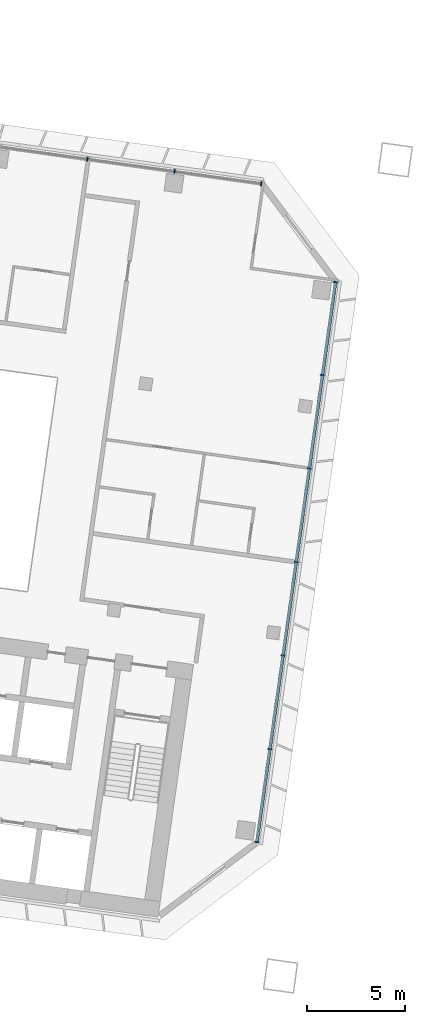
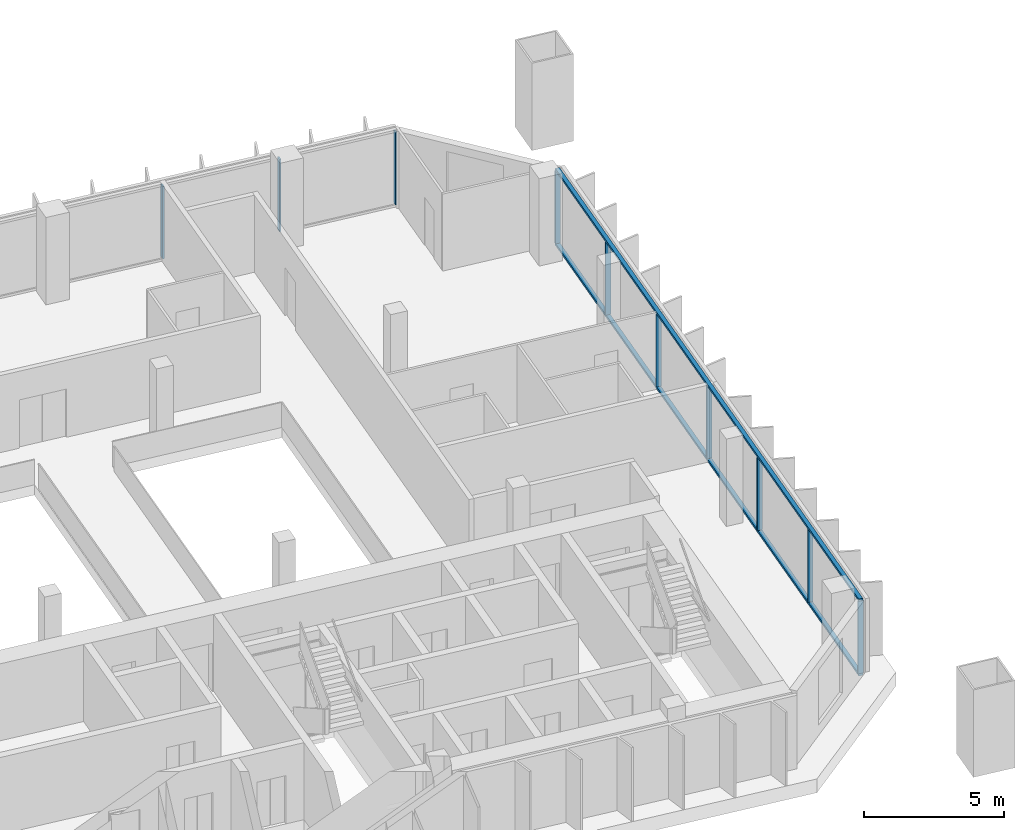
# One storey, part 6 of 25: 12 members, 2 elements without a shape of their own.
"""IFC4 building model written with IfcOpenShell, lengths in metres."""

from ifc_helpers import new_model, si_unit, direction, frame, origin, origin_2d, place, context, subcontext, project, spatial, rectangle, extrude, material, material_profile, profile_set, type_object, element, aggregate, save


model = new_model("IFC4")

# Units and contexts
model_context = context("Model", 3, precision=1e-05, world=origin(), true_north=direction((0.0, 1.0)))
body_context = subcontext(model_context, "Body", "Model", "MODEL_VIEW")
ifc_project = project(units=[si_unit("LENGTHUNIT", "METRE"), si_unit("AREAUNIT", "SQUARE_METRE"), si_unit("VOLUMEUNIT", "CUBIC_METRE"), si_unit("PLANEANGLEUNIT", "RADIAN"), si_unit("MASSUNIT", "GRAM", prefix="KILO")], contexts=[model_context])

# Site, building, storey
site_placement = place(None, origin())
site = spatial("IfcSite", under=ifc_project, at=site_placement, CompositionType="ELEMENT")
building_placement = place(site_placement, origin())
building = spatial("IfcBuilding", under=site, at=building_placement, Name="Mirante Cascada Hotel Towers", CompositionType="ELEMENT")
storey_placement = place(building_placement, frame((0.0, 0.0, 129.1)))
storey = spatial("IfcBuildingStorey", under=building, at=storey_placement, Name="L29", CompositionType="ELEMENT", Elevation=129.1)

# Curtain wall, members
ifc_material_1 = material(Name="Aluminium mullion and transom frame with clear laminated glass", Category="aluminium")
curtain_wall_type_1 = type_object("IfcCurtainWallType", Name="Ribbon curtain wall ECW1", PredefinedType="NOTDEFINED", material=ifc_material_1)
curtain_wall_1_placement = place(storey_placement, origin())
curtain_wall_1 = element("IfcCurtainWall", 1, at=curtain_wall_1_placement, inside=storey, type_object=curtain_wall_type_1, Name="Front ribbon wall T1 L29", PredefinedType="NOTDEFINED")
ifc_material_2 = material(Name="Anodised aluminium extrusion", Category="aluminium")
ifc_material_profile_1 = material_profile(ifc_material_2, rectangle(XDim=0.2, YDim=0.065, at=origin_2d()), Name="ECW1 MULLION 65x200")
ifc_profile_set_1 = profile_set([ifc_material_profile_1], Name="Anodised aluminium extrusion")
member_type_1 = type_object("IfcMemberType", Name="ECW1 mullion 65x200", PredefinedType="MULLION", material=ifc_profile_set_1)
member_1_placement = place(storey_placement, frame((-40.7892, 18.5516, 0.1), z_axis=(0.0, 0.0, 1.0), x_axis=(0.1391731, 0.9902681, 0.0)))
member_1 = element("IfcMember", 2, at=member_1_placement, type_object=member_type_1, Name="ECW1 mullion 13", PredefinedType="MULLION", context=body_context, shape_type="SweptSolid", body=[
    extrude(rectangle(XDim=0.2, YDim=0.065, at=origin_2d()), origin(), (0.0, 0.0, 1.0), 3.15),
])
member_2_placement = place(storey_placement, frame((-36.3417, 17.9265, 0.1), z_axis=(0.0, 0.0, 1.0), x_axis=(0.1391731, 0.9902681, 0.0)))
member_2 = element("IfcMember", 3, at=member_2_placement, type_object=member_type_1, Name="ECW1 mullion 14", PredefinedType="MULLION", context=body_context, shape_type="SweptSolid", body=[
    extrude(rectangle(XDim=0.2, YDim=0.065, at=origin_2d()), origin(), (0.0, 0.0, 1.0), 3.15),
])
member_3_placement = place(storey_placement, frame((-31.9265, 17.306, 0.1), z_axis=(0.0, 0.0, 1.0), x_axis=(0.1391731, 0.9902681, 0.0)))
member_3 = element("IfcMember", 4, at=member_3_placement, type_object=member_type_1, Name="ECW1 mullion 15", PredefinedType="MULLION", context=body_context, shape_type="SweptSolid", body=[
    extrude(rectangle(XDim=0.2, YDim=0.065, at=origin_2d()), origin(), (0.0, 0.0, 1.0), 3.15),
])
aggregate(curtain_wall_1, [member_1, member_2, member_3])

ifc_material_3 = material(Name="Aluminium mullion and transom frame with clear laminated glass", Category="aluminium")
curtain_wall_type_2 = type_object("IfcCurtainWallType", Name="End ribbon curtain wall ECW2", PredefinedType="NOTDEFINED", material=ifc_material_3)
curtain_wall_2_placement = place(storey_placement, origin())
curtain_wall_2 = element("IfcCurtainWall", 5, at=curtain_wall_2_placement, inside=storey, type_object=curtain_wall_type_2, Name="Inner end wall T1 L29", PredefinedType="NOTDEFINED")
ifc_material_4 = material(Name="Anodised aluminium extrusion", Category="aluminium")
ifc_material_profile_2 = material_profile(ifc_material_4, rectangle(XDim=0.2, YDim=0.065, at=origin_2d()), Name="ECW2 MULLION 65x200")
ifc_profile_set_2 = profile_set([ifc_material_profile_2], Name="Anodised aluminium extrusion")
member_type_2 = type_object("IfcMemberType", Name="ECW2 mullion 65x200", PredefinedType="MULLION", material=ifc_profile_set_2)
member_4_placement = place(storey_placement, frame((-28.1437, 12.2861, 0.1), z_axis=(0.0, 0.0, 1.0), x_axis=(0.9902681, -0.1391731, 0.0)))
member_4 = element("IfcMember", 6, at=member_4_placement, type_object=member_type_2, Name="ECW2 mullion 1", PredefinedType="MULLION", context=body_context, shape_type="SweptSolid", body=[
    extrude(rectangle(XDim=0.2, YDim=0.065, at=origin_2d()), origin(), (0.0, 0.0, 1.0), 3.15),
])
member_5_placement = place(storey_placement, frame((-28.809, 7.5524, 0.1), z_axis=(0.0, 0.0, 1.0), x_axis=(0.9902681, -0.1391731, 0.0)))
member_5 = element("IfcMember", 7, at=member_5_placement, type_object=member_type_2, Name="ECW2 mullion 2", PredefinedType="MULLION", context=body_context, shape_type="SweptSolid", body=[
    extrude(rectangle(XDim=0.2, YDim=0.065, at=origin_2d()), origin(), (0.0, 0.0, 1.0), 3.15),
])
member_6_placement = place(storey_placement, frame((-29.4788, 2.7867, 0.1), z_axis=(0.0, 0.0, 1.0), x_axis=(0.9902681, -0.1391731, 0.0)))
member_6 = element("IfcMember", 8, at=member_6_placement, type_object=member_type_2, Name="ECW2 mullion 3", PredefinedType="MULLION", context=body_context, shape_type="SweptSolid", body=[
    extrude(rectangle(XDim=0.2, YDim=0.065, at=origin_2d()), origin(), (0.0, 0.0, 1.0), 3.15),
])
member_7_placement = place(storey_placement, frame((-30.1485, -1.9791, 0.1), z_axis=(0.0, 0.0, 1.0), x_axis=(0.9902681, -0.1391731, 0.0)))
member_7 = element("IfcMember", 9, at=member_7_placement, type_object=member_type_2, Name="ECW2 mullion 4", PredefinedType="MULLION", context=body_context, shape_type="SweptSolid", body=[
    extrude(rectangle(XDim=0.2, YDim=0.065, at=origin_2d()), origin(), (0.0, 0.0, 1.0), 3.15),
])
member_8_placement = place(storey_placement, frame((-30.8183, -6.7449, 0.1), z_axis=(0.0, 0.0, 1.0), x_axis=(0.9902681, -0.1391731, 0.0)))
member_8 = element("IfcMember", 10, at=member_8_placement, type_object=member_type_2, Name="ECW2 mullion 5", PredefinedType="MULLION", context=body_context, shape_type="SweptSolid", body=[
    extrude(rectangle(XDim=0.2, YDim=0.065, at=origin_2d()), origin(), (0.0, 0.0, 1.0), 3.15),
])
member_9_placement = place(storey_placement, frame((-31.4881, -11.5107, 0.1), z_axis=(0.0, 0.0, 1.0), x_axis=(0.9902681, -0.1391731, 0.0)))
member_9 = element("IfcMember", 11, at=member_9_placement, type_object=member_type_2, Name="ECW2 mullion 6", PredefinedType="MULLION", context=body_context, shape_type="SweptSolid", body=[
    extrude(rectangle(XDim=0.2, YDim=0.065, at=origin_2d()), origin(), (0.0, 0.0, 1.0), 3.15),
])
member_10_placement = place(storey_placement, frame((-32.1534, -16.2443, 0.1), z_axis=(0.0, 0.0, 1.0), x_axis=(0.9902681, -0.1391731, 0.0)))
member_10 = element("IfcMember", 12, at=member_10_placement, type_object=member_type_2, Name="ECW2 mullion 7", PredefinedType="MULLION", context=body_context, shape_type="SweptSolid", body=[
    extrude(rectangle(XDim=0.2, YDim=0.065, at=origin_2d()), origin(), (0.0, 0.0, 1.0), 3.15),
])
ifc_material_5 = material(Name="Anodised aluminium extrusion", Category="aluminium")
ifc_material_profile_3 = material_profile(ifc_material_5, rectangle(XDim=0.16, YDim=0.1, at=origin_2d()), Name="ECW2 TRANSOM 100x160")
ifc_profile_set_3 = profile_set([ifc_material_profile_3], Name="Anodised aluminium extrusion")
member_type_3 = type_object("IfcMemberType", Name="ECW2 transom 100x160", PredefinedType="USERDEFINED", material=ifc_profile_set_3)
member_11_placement = place(storey_placement, frame((-28.1392, 12.3182, 0.05), z_axis=(-0.1391723, -0.9902682, 0.0), x_axis=(0.9902682, -0.1391723, 0.0)))
member_11 = element("IfcMember", 13, at=member_11_placement, type_object=member_type_3, Name="ECW2 sill transom", ObjectType="TRANSOM", PredefinedType="USERDEFINED", context=body_context, shape_type="SweptSolid", body=[
    extrude(rectangle(XDim=0.16, YDim=0.1, at=origin_2d()), origin(), (0.0, 0.0, 1.0), 28.8757),
])
member_12_placement = place(storey_placement, frame((-28.1392, 12.3182, 3.3), z_axis=(-0.1391723, -0.9902682, 0.0), x_axis=(0.9902682, -0.1391723, 0.0)))
member_12 = element("IfcMember", 14, at=member_12_placement, type_object=member_type_3, Name="ECW2 head transom", ObjectType="TRANSOM", PredefinedType="USERDEFINED", context=body_context, shape_type="SweptSolid", body=[
    extrude(rectangle(XDim=0.16, YDim=0.1, at=origin_2d()), origin(), (0.0, 0.0, 1.0), 28.8757),
])
aggregate(curtain_wall_2, [member_11, member_12, member_4, member_5, member_6, member_7, member_8, member_9, member_10])

save(model, "model.ifc")
